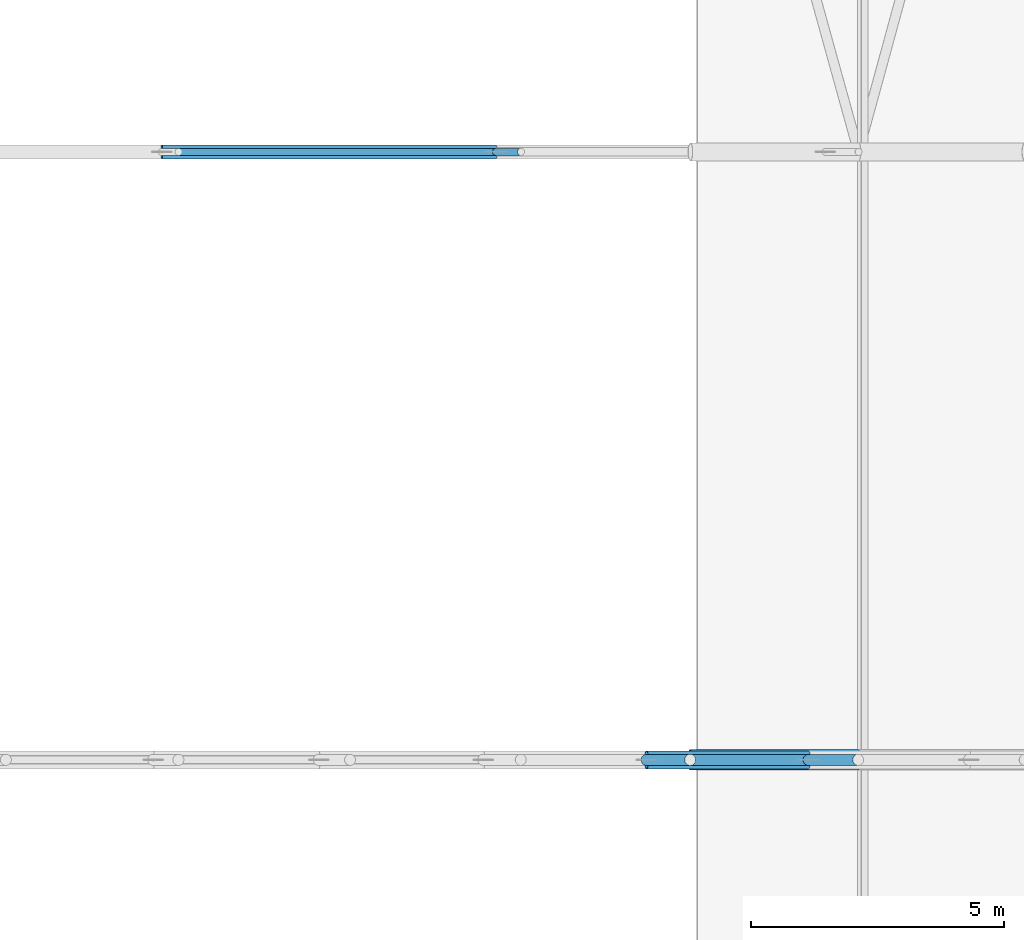
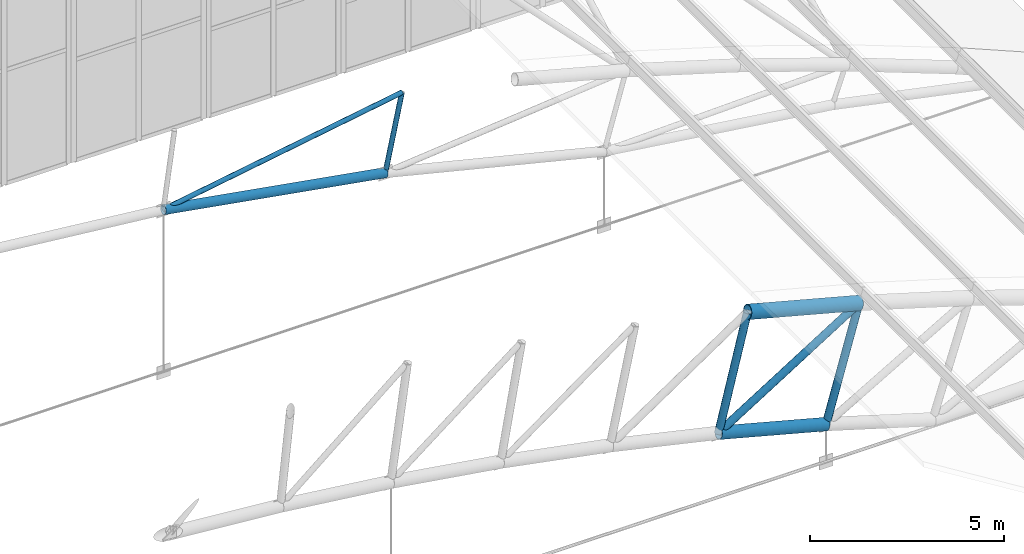
# One storey, part 193 of 321: 8 members.
"""IFC4 building model written with IfcOpenShell, lengths in metres."""

from ifc_helpers import new_model, si_unit, direction, frame, origin, origin_2d, place, context, subcontext, project, spatial, hollow_circle, extrude, material, material_profile, profile_set, type_object, element, save


model = new_model("IFC4")

# Units and contexts
model_context = context("Model", 3, precision=1e-05, world=origin(), true_north=direction((0.0, 1.0)))
body_context = subcontext(model_context, "Body", "Model", "MODEL_VIEW")
ifc_project = project(units=[si_unit("LENGTHUNIT", "METRE"), si_unit("AREAUNIT", "SQUARE_METRE"), si_unit("VOLUMEUNIT", "CUBIC_METRE"), si_unit("PLANEANGLEUNIT", "RADIAN"), si_unit("MASSUNIT", "GRAM", prefix="KILO")], contexts=[model_context])

# Site, building, storey
site_placement = place(None, origin())
site = spatial("IfcSite", under=ifc_project, at=site_placement, CompositionType="ELEMENT")
building_placement = place(site_placement, origin())
building = spatial("IfcBuilding", under=site, at=building_placement, Name="Ravi Spectrum Wholesale Market", CompositionType="ELEMENT")
storey_placement = place(building_placement, frame((0.0, 0.0, 10.800048828125)))
storey = spatial("IfcBuildingStorey", under=building, at=storey_placement, Name="L02", CompositionType="ELEMENT", Elevation=10.800048828125)

# Members
ifc_material_1 = material(Name="Steel S355", Category="steel")
ifc_material_profile_1 = material_profile(ifc_material_1, hollow_circle(Radius=0.06982421875, WallThickness=0.0048828125, at=origin_2d()))
ifc_profile_set_1 = profile_set([ifc_material_profile_1], Name="Steel S355")
member_type_1 = type_object("IfcMemberType", Name="CHS 139.7x5 brace", PredefinedType="BRACE", material=ifc_profile_set_1)
member_1_placement = place(storey_placement, frame((90.44140625, 186.0, 6.30224609375), z_axis=(-0.985982518253, 0.0, -0.166848655074), x_axis=(0.0, -1.0, 0.0)))
element("IfcMember", 1, at=member_1_placement, inside=storey, type_object=member_type_1, Name="H1-MB-L02-1126", PredefinedType="BRACE", context=body_context, shape_type="SweptSolid", body=[
    extrude(hollow_circle(Radius=0.06982421875, WallThickness=0.0048828125, at=origin_2d()), origin(), (0.0, 0.0, 1.0), 7.1904296875),
])
ifc_material_2 = material(Name="Steel S355", Category="steel")
ifc_material_profile_2 = material_profile(ifc_material_2, hollow_circle(Radius=0.06982421875, WallThickness=0.0048828125, at=origin_2d()))
ifc_profile_set_2 = profile_set([ifc_material_profile_2], Name="Steel S355")
member_type_2 = type_object("IfcMemberType", Name="CHS 139.7x5 post", PredefinedType="POST", material=ifc_profile_set_2)
member_2_placement = place(storey_placement, frame((90.44140625, 186.0, 6.30224609375), z_axis=(-0.20547728987, 0.0, -0.978661884078), x_axis=(0.0, -1.0, 0.0)))
element("IfcMember", 2, at=member_2_placement, inside=storey, type_object=member_type_2, Name="H1-MB-L02-1116", PredefinedType="POST", context=body_context, shape_type="SweptSolid", body=[
    extrude(hollow_circle(Radius=0.06982421875, WallThickness=0.0048828125, at=origin_2d()), origin(), (0.0, 0.0, 1.0), 2.400146484375),
])
ifc_material_3 = material(Name="Steel S355", Category="steel")
ifc_material_profile_3 = material_profile(ifc_material_3, hollow_circle(Radius=0.109619140625, WallThickness=0.008056640625, at=origin_2d()))
ifc_profile_set_3 = profile_set([ifc_material_profile_3], Name="Steel S355")
member_type_3 = type_object("IfcMemberType", Name="CHS 219.1x8 brace", PredefinedType="BRACE", material=ifc_profile_set_3)
member_3_placement = place(storey_placement, frame((97.096923828125, 174.0, 4.63671875), z_axis=(-0.847368909482, 0.0, -0.531004643335), x_axis=(0.0, -1.0, 0.0)))
element("IfcMember", 3, at=member_3_placement, inside=storey, type_object=member_type_3, Name="H1-MB-L02-1062", PredefinedType="BRACE", context=body_context, shape_type="SweptSolid", body=[
    extrude(hollow_circle(Radius=0.109619140625, WallThickness=0.008056640625, at=origin_2d()), origin(), (0.0, 0.0, 1.0), 4.9296875),
])
ifc_material_4 = material(Name="Steel S355", Category="steel")
ifc_material_profile_4 = material_profile(ifc_material_4, hollow_circle(Radius=0.109619140625, WallThickness=0.008056640625, at=origin_2d()))
ifc_profile_set_4 = profile_set([ifc_material_profile_4], Name="Steel S355")
member_type_4 = type_object("IfcMemberType", Name="CHS 219.1x8 post", PredefinedType="POST", material=ifc_profile_set_4)
for number, where, z_axis, x_axis, name in (
    (4, (93.78076171875, 174.0, 5.514404296875), (-0.239199072456, 0.0, -0.970970547306), (0.0, -1.0, 0.0), "H1-MB-L02-1039"),
    (5, (97.096923828125, 174.0, 4.63671875), (-0.272561766134, 0.0, -0.962138287172), (0.0, -1.0, 0.0), "H1-MB-L02-1040"),
):
    element("IfcMember", number, at=place(storey_placement, frame(where, z_axis=z_axis, x_axis=x_axis)), inside=storey, type_object=member_type_4, Name=name, PredefinedType="POST", context=body_context, shape_type="SweptSolid", body=[
        extrude(hollow_circle(Radius=0.109619140625, WallThickness=0.008056640625, at=origin_2d()), origin(), (0.0, 0.0, 1.0), 3.599853515625),
    ])
ifc_material_5 = material(Name="Steel S355", Category="steel")
ifc_material_profile_5 = material_profile(ifc_material_5, hollow_circle(Radius=0.136474609375, WallThickness=0.010009765625, at=origin_2d()))
ifc_profile_set_5 = profile_set([ifc_material_profile_5], Name="Steel S355")
member_type_5 = type_object("IfcMemberType", Name="CHS 273x10 chord", PredefinedType="CHORD", material=ifc_profile_set_5)
member_4_placement = place(storey_placement, frame((83.351806640625, 186.0, 5.1025390625), z_axis=(0.985162205886, 0.0, -0.171625837489), x_axis=(0.0, 1.0, 0.0)))
element("IfcMember", 6, at=member_4_placement, inside=storey, type_object=member_type_5, Name="H1-MB-L02-1104", PredefinedType="CHORD", context=body_context, shape_type="SweptSolid", body=[
    extrude(hollow_circle(Radius=0.136474609375, WallThickness=0.010009765625, at=origin_2d()), origin(), (0.0, 0.0, 1.0), 6.69580078125),
])
ifc_material_6 = material(Name="Steel S355", Category="steel")
ifc_material_profile_6 = material_profile(ifc_material_6, hollow_circle(Radius=0.177734375, WallThickness=0.012451171875, at=origin_2d()))
ifc_profile_set_6 = profile_set([ifc_material_profile_6], Name="Steel S355")
member_type_6 = type_object("IfcMemberType", Name="CHS 355.6x12.5 chord", PredefinedType="CHORD", material=ifc_profile_set_6)
member_5_placement = place(storey_placement, frame((92.919677734375, 174.0, 2.01904296875), z_axis=(0.966710063159, 0.0, -0.255874292938), x_axis=(0.0, 1.0, 0.0)))
element("IfcMember", 7, at=member_5_placement, inside=storey, type_object=member_type_6, Name="H1-MB-L02-1016", PredefinedType="CHORD", context=body_context, shape_type="SweptSolid", body=[
    extrude(hollow_circle(Radius=0.177734375, WallThickness=0.012451171875, at=origin_2d()), origin(), (0.0, 0.0, 1.0), 3.30615234375),
])
ifc_material_7 = material(Name="Steel S355", Category="steel")
ifc_material_profile_7 = material_profile(ifc_material_7, hollow_circle(Radius=0.203125, WallThickness=0.01611328125, at=origin_2d()))
ifc_profile_set_7 = profile_set([ifc_material_profile_7], Name="Steel S355")
member_type_7 = type_object("IfcMemberType", Name="CHS 406.4x16 chord", PredefinedType="CHORD", material=ifc_profile_set_7)
member_6_placement = place(storey_placement, frame((93.78076171875, 174.0, 5.514404296875), z_axis=(0.966714030155, 0.0, -0.255859304896), x_axis=(0.0, 1.0, 0.0)))
element("IfcMember", 8, at=member_6_placement, inside=storey, type_object=member_type_7, Name="H1-MB-L02-992", PredefinedType="CHORD", context=body_context, shape_type="SweptSolid", body=[
    extrude(hollow_circle(Radius=0.203125, WallThickness=0.01611328125, at=origin_2d()), origin(), (0.0, 0.0, 1.0), 3.430419921875),
])

save(model, "model.ifc")
